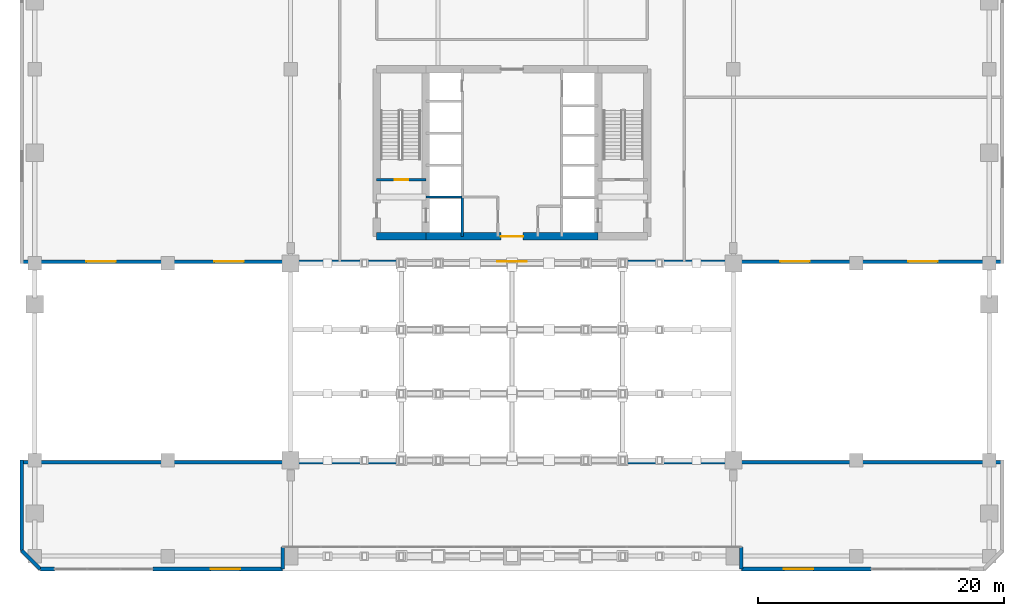
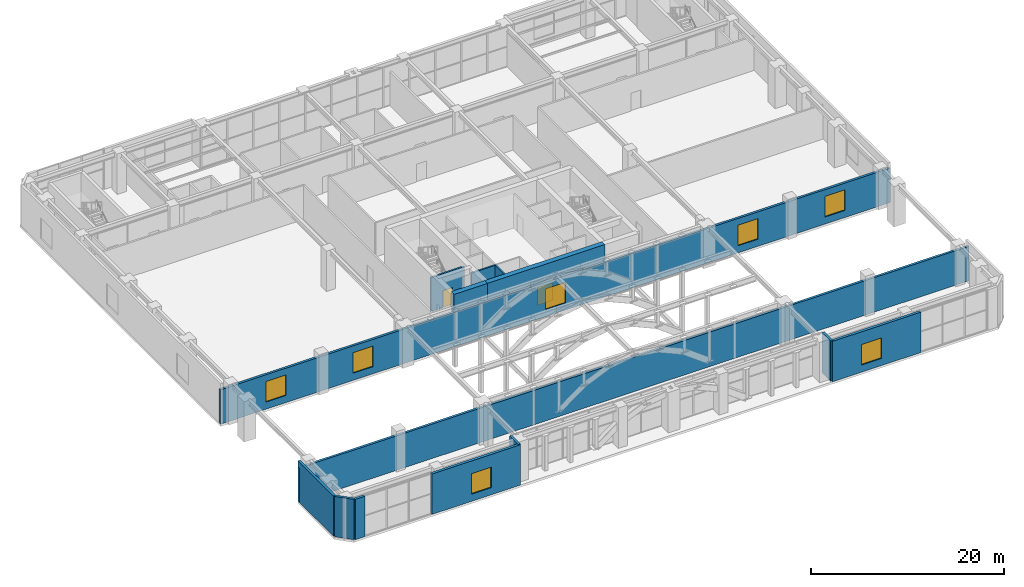
# One storey, part 25 of 32: 14 walls, 7 windows, 2 doors, 9 openings.
"""IFC4 building model written with IfcOpenShell, lengths in metres."""

from ifc_helpers import new_model, si_unit, direction, frame, frame_2d, origin, place, context, subcontext, project, spatial, rectangle, extrude, material, layer, layer_set, type_object, element, fill, save


model = new_model("IFC4")

# Units and contexts
model_context = context("Model", 3, precision=1e-05, world=origin(), true_north=direction((0.0, 1.0)))
body_context = subcontext(model_context, "Body", "Model", "MODEL_VIEW")
ifc_project = project(units=[si_unit("LENGTHUNIT", "METRE"), si_unit("AREAUNIT", "SQUARE_METRE"), si_unit("VOLUMEUNIT", "CUBIC_METRE"), si_unit("PLANEANGLEUNIT", "RADIAN"), si_unit("MASSUNIT", "GRAM", prefix="KILO")], contexts=[model_context])

# Site, building, storey
site_placement = place(None, origin())
site = spatial("IfcSite", under=ifc_project, at=site_placement, CompositionType="ELEMENT")
building_placement = place(site_placement, origin())
building = spatial("IfcBuilding", under=site, at=building_placement, Name="Sarneth Arch Tower", CompositionType="ELEMENT")
storey_placement = place(building_placement, frame((0.0, 0.0, 11.39990234375)))
storey = spatial("IfcBuildingStorey", under=building, at=storey_placement, Name="L02", CompositionType="ELEMENT", Elevation=11.39990234375)

# Wall
ifc_material_1 = material(Name="Concrete C60/75", Category="concrete")
ifc_layer_1 = layer(ifc_material_1, 0.60009765625)
ifc_layer_set_1 = layer_set([ifc_layer_1], Name="Concrete C60/75")
wall_type_1 = type_object("IfcWallType", Name="WALL-CORE-600", PredefinedType="SHEAR", material=ifc_layer_set_1)
wall_1_placement = place(storey_placement, frame((37.0, 35.199951171875, 0.0), z_axis=(0.0, 0.0, 1.0), x_axis=(1.0, 0.0, 0.0)))
element("IfcWall", 1, at=wall_1_placement, inside=storey, type_object=wall_type_1, Name="L02 Core shear wall S-W", PredefinedType="SHEAR", context=body_context, shape_type="SweptSolid", body=[
    extrude(rectangle(XDim=4.0, YDim=0.60009765625, at=frame_2d((2.0, 0.0))), origin(), (0.0, 0.0, 1.0), 5.10009765625),
])

# Wall, opening, door
wall_2_placement = place(storey_placement, frame((41.0, 35.199951171875, 0.0), z_axis=(0.0, 0.0, 1.0), x_axis=(1.0, 0.0, 0.0)))
wall_2 = element("IfcWall", 2, at=wall_2_placement, inside=storey, type_object=wall_type_1, Name="L02 Core shear wall S-M", PredefinedType="SHEAR", context=body_context, shape_type="SweptSolid", body=[
    extrude(rectangle(XDim=14.0, YDim=0.60009765625, at=frame_2d((7.0, 0.0))), origin(), (0.0, 0.0, 1.0), 5.10009765625),
])
opening_1_placement = place(wall_2_placement, frame((6.10009765625, 0.0, 0.0)))
opening_1 = element("IfcOpeningElement", 3, at=opening_1_placement, cuts=wall_2, Name="Opening FD-01", PredefinedType="OPENING", context=body_context, shape_type="SweptSolid", body=[
    extrude(rectangle(XDim=1.800048828125, YDim=2.25, at=frame_2d((0.89990234375, 1.125))), frame((0.0, 0.31005859375, 0.0), z_axis=(0.0, -1.0, 0.0), x_axis=(1.0, 0.0, 0.0)), (0.0, 0.0, 1.0), 0.6201171875),
])
ifc_material_2 = material(Name="Galvanised Steel S275 fire door set", Category="steel")
door_type_1 = type_object("IfcDoorType", Name="DR-FD90-1800", OperationType="DOUBLE_DOOR_SINGLE_SWING", PredefinedType="DOOR", material=ifc_material_2)
door_1_placement = place(opening_1_placement, origin())
door_1 = element("IfcDoor", 4, at=door_1_placement, inside=storey, type_object=door_type_1, Name="L02 Central lift lobby south door", OperationType="DOUBLE_DOOR_SINGLE_SWING", OverallHeight=2.25, OverallWidth=1.800048828125, PredefinedType="DOOR", context=body_context, shape_type="SweptSolid", body=[
    extrude(rectangle(XDim=1.800048828125, YDim=2.25, at=frame_2d((0.89990234375, 1.125))), frame((0.0, 0.02490234375, 0.0), z_axis=(0.0, -1.0, 0.0), x_axis=(1.0, 0.0, 0.0)), (0.0, 0.0, 1.0), 0.050048828125),
])
fill(opening_1, door_1)

# Walls
ifc_material_3 = material(Name="Extruded terracotta rainscreen on Concrete C40/50 backing", Category="masonry")
ifc_layer_2 = layer(ifc_material_3, 0.280029296875)
ifc_layer_set_2 = layer_set([ifc_layer_2], Name="Extruded terracotta rainscreen on Concrete C40/50 backing")
wall_type_2 = type_object("IfcWallType", Name="WALL-EXT-TERRA-280", PredefinedType="SOLIDWALL", material=ifc_layer_set_2)
for number, where, z_axis, x_axis, name in (
    (5, (29.35009765625, 8.14990234375, 0.0), (0.0, 0.0, 1.0), (0.0, 1.0, 0.0), "L02 South-west arch portal return"),
    (6, (66.64990234375, 9.949951171875, 0.0), (0.0, 0.0, 1.0), (0.0, -1.0, 0.0), "L02 South-east arch portal return"),
):
    element("IfcWall", number, at=place(storey_placement, frame(where, z_axis=z_axis, x_axis=x_axis)), inside=storey, type_object=wall_type_2, Name=name, PredefinedType="SOLIDWALL", context=body_context, shape_type="SweptSolid", body=[
        extrude(rectangle(XDim=1.800048828125, YDim=0.280029296875, at=frame_2d((0.89990234375, 0.0))), origin(), (0.0, 0.0, 1.0), 5.10009765625),
    ])
wall_3_placement = place(storey_placement, frame((8.14990234375, 17.0, 0.0), z_axis=(0.0, 0.0, 1.0), x_axis=(0.0, -1.0, 0.0)))
element("IfcWall", 7, at=wall_3_placement, inside=storey, type_object=wall_type_2, Name="L02 West south wing wall", PredefinedType="SOLIDWALL", context=body_context, shape_type="SweptSolid", body=[
    extrude(rectangle(XDim=7.35009765625, YDim=0.280029296875, at=frame_2d((3.675048828125, 0.0))), origin(), (0.0, 0.0, 1.0), 5.10009765625),
])

# Wall, openings, windows
wall_4_placement = place(storey_placement, frame((88.0, 33.14990234375, 0.0), z_axis=(0.0, 0.0, 1.0), x_axis=(-1.0, 0.0, 0.0)))
wall_4 = element("IfcWall", 8, at=wall_4_placement, inside=storey, type_object=wall_type_2, Name="L02 Arch passage north portal wall", PredefinedType="SOLIDWALL", context=body_context, shape_type="SweptSolid", body=[
    extrude(rectangle(XDim=80.0, YDim=0.280029296875, at=frame_2d((40.0, 0.0))), origin(), (0.0, 0.0, 1.0), 4.35009765625),
])
opening_2_placement = place(wall_4_placement, frame((5.39990234375, 0.0, 0.89990234375)))
opening_2 = element("IfcOpeningElement", 9, at=opening_2_placement, cuts=wall_4, Name="Opening W-02", PredefinedType="OPENING", context=body_context, shape_type="SweptSolid", body=[
    extrude(rectangle(XDim=2.39990234375, YDim=2.60009765625, at=frame_2d((1.199951171875, 1.300048828125))), frame((0.0, 0.14990234375, 0.0), z_axis=(0.0, -1.0, 0.0), x_axis=(1.0, 0.0, 0.0)), (0.0, 0.0, 1.0), 0.300048828125),
])
opening_3_placement = place(wall_4_placement, frame((15.800048828125, 0.0, 0.89990234375)))
opening_3 = element("IfcOpeningElement", 10, at=opening_3_placement, cuts=wall_4, Name="Opening W-02", PredefinedType="OPENING", context=body_context, shape_type="SweptSolid", body=[
    extrude(rectangle(XDim=2.39990234375, YDim=2.60009765625, at=frame_2d((1.199951171875, 1.300048828125))), frame((0.0, 0.14990234375, 0.0), z_axis=(0.0, -1.0, 0.0), x_axis=(1.0, 0.0, 0.0)), (0.0, 0.0, 1.0), 0.300048828125),
])
opening_4_placement = place(wall_4_placement, frame((38.800048828125, 0.0, 0.89990234375)))
opening_4 = element("IfcOpeningElement", 11, at=opening_4_placement, cuts=wall_4, Name="Opening W-02", PredefinedType="OPENING", context=body_context, shape_type="SweptSolid", body=[
    extrude(rectangle(XDim=2.39990234375, YDim=2.60009765625, at=frame_2d((1.199951171875, 1.300048828125))), frame((0.0, 0.14990234375, 0.0), z_axis=(0.0, -1.0, 0.0), x_axis=(1.0, 0.0, 0.0)), (0.0, 0.0, 1.0), 0.300048828125),
])
opening_5_placement = place(wall_4_placement, frame((61.800048828125, 0.0, 0.89990234375)))
opening_5 = element("IfcOpeningElement", 12, at=opening_5_placement, cuts=wall_4, Name="Opening W-02", PredefinedType="OPENING", context=body_context, shape_type="SweptSolid", body=[
    extrude(rectangle(XDim=2.39990234375, YDim=2.60009765625, at=frame_2d((1.199951171875, 1.300048828125))), frame((0.0, 0.14990234375, 0.0), z_axis=(0.0, -1.0, 0.0), x_axis=(1.0, 0.0, 0.0)), (0.0, 0.0, 1.0), 0.300048828125),
])
opening_6_placement = place(wall_4_placement, frame((72.199951171875, 0.0, 0.89990234375)))
opening_6 = element("IfcOpeningElement", 13, at=opening_6_placement, cuts=wall_4, Name="Opening W-02", PredefinedType="OPENING", context=body_context, shape_type="SweptSolid", body=[
    extrude(rectangle(XDim=2.39990234375, YDim=2.60009765625, at=frame_2d((1.199951171875, 1.300048828125))), frame((0.0, 0.14990234375, 0.0), z_axis=(0.0, -1.0, 0.0), x_axis=(1.0, 0.0, 0.0)), (0.0, 0.0, 1.0), 0.300048828125),
])
ifc_material_4 = material(Name="Thermally broken Aluminium 6063-T6 and low-e laminated IGU", Category="aluminium")
window_type = type_object("IfcWindowType", Name="WIN-POD-2400x2600", PartitioningType="DOUBLE_PANEL_VERTICAL", PredefinedType="WINDOW", material=ifc_material_4)
window_1_placement = place(opening_2_placement, origin())
window_1 = element("IfcWindow", 14, at=window_1_placement, inside=storey, type_object=window_type, Name="L02 Arch overlook window 1", OverallHeight=2.60009765625, OverallWidth=2.39990234375, PartitioningType="SINGLE_PANEL", PredefinedType="WINDOW", context=body_context, shape_type="SweptSolid", body=[
    extrude(rectangle(XDim=2.39990234375, YDim=2.60009765625, at=frame_2d((1.199951171875, 1.300048828125))), frame((0.0, 0.030029296875, 0.0), z_axis=(0.0, -1.0, 0.0), x_axis=(1.0, 0.0, 0.0)), (0.0, 0.0, 1.0), 0.06005859375),
])
fill(opening_2, window_1)
window_2_placement = place(opening_3_placement, origin())
window_2 = element("IfcWindow", 15, at=window_2_placement, inside=storey, type_object=window_type, Name="L02 Arch overlook window 2", OverallHeight=2.60009765625, OverallWidth=2.39990234375, PartitioningType="SINGLE_PANEL", PredefinedType="WINDOW", context=body_context, shape_type="SweptSolid", body=[
    extrude(rectangle(XDim=2.39990234375, YDim=2.60009765625, at=frame_2d((1.199951171875, 1.300048828125))), frame((0.0, 0.030029296875, 0.0), z_axis=(0.0, -1.0, 0.0), x_axis=(1.0, 0.0, 0.0)), (0.0, 0.0, 1.0), 0.06005859375),
])
fill(opening_3, window_2)
window_3_placement = place(opening_4_placement, origin())
window_3 = element("IfcWindow", 16, at=window_3_placement, inside=storey, type_object=window_type, Name="L02 Arch overlook window 3", OverallHeight=2.60009765625, OverallWidth=2.39990234375, PartitioningType="SINGLE_PANEL", PredefinedType="WINDOW", context=body_context, shape_type="SweptSolid", body=[
    extrude(rectangle(XDim=2.39990234375, YDim=2.60009765625, at=frame_2d((1.199951171875, 1.300048828125))), frame((0.0, 0.030029296875, 0.0), z_axis=(0.0, -1.0, 0.0), x_axis=(1.0, 0.0, 0.0)), (0.0, 0.0, 1.0), 0.06005859375),
])
fill(opening_4, window_3)
window_4_placement = place(opening_5_placement, origin())
window_4 = element("IfcWindow", 17, at=window_4_placement, inside=storey, type_object=window_type, Name="L02 Arch overlook window 4", OverallHeight=2.60009765625, OverallWidth=2.39990234375, PartitioningType="SINGLE_PANEL", PredefinedType="WINDOW", context=body_context, shape_type="SweptSolid", body=[
    extrude(rectangle(XDim=2.39990234375, YDim=2.60009765625, at=frame_2d((1.199951171875, 1.300048828125))), frame((0.0, 0.030029296875, 0.0), z_axis=(0.0, -1.0, 0.0), x_axis=(1.0, 0.0, 0.0)), (0.0, 0.0, 1.0), 0.06005859375),
])
fill(opening_5, window_4)
window_5_placement = place(opening_6_placement, origin())
window_5 = element("IfcWindow", 18, at=window_5_placement, inside=storey, type_object=window_type, Name="L02 Arch overlook window 5", OverallHeight=2.60009765625, OverallWidth=2.39990234375, PartitioningType="SINGLE_PANEL", PredefinedType="WINDOW", context=body_context, shape_type="SweptSolid", body=[
    extrude(rectangle(XDim=2.39990234375, YDim=2.60009765625, at=frame_2d((1.199951171875, 1.300048828125))), frame((0.0, 0.030029296875, 0.0), z_axis=(0.0, -1.0, 0.0), x_axis=(1.0, 0.0, 0.0)), (0.0, 0.0, 1.0), 0.06005859375),
])
fill(opening_6, window_5)

# Walls
wall_5_placement = place(storey_placement, frame((8.0, 16.85009765625, 0.0), z_axis=(0.0, 0.0, 1.0), x_axis=(1.0, 0.0, 0.0)))
element("IfcWall", 19, at=wall_5_placement, inside=storey, type_object=wall_type_2, Name="L02 Arch passage south portal wall", PredefinedType="SOLIDWALL", context=body_context, shape_type="SweptSolid", body=[
    extrude(rectangle(XDim=80.0, YDim=0.280029296875, at=frame_2d((40.0, 0.0))), origin(), (0.0, 0.0, 1.0), 4.35009765625),
])
wall_6_placement = place(storey_placement, frame((8.14990234375, 9.64990234375, 0.0), z_axis=(0.0, 0.0, 1.0), x_axis=(0.707106781187, -0.707106781187, 0.0)))
element("IfcWall", 20, at=wall_6_placement, inside=storey, type_object=wall_type_2, Name="L02 Podium chamfer terracotta wall SW", PredefinedType="SOLIDWALL", context=body_context, shape_type="SweptSolid", body=[
    extrude(rectangle(XDim=2.121337890625, YDim=0.280029296875, at=frame_2d((1.060546875, 0.0))), origin(), (0.0, 0.0, 1.0), 5.10009765625),
])
ifc_material_5 = material(Name="Extruded terracotta rainscreen on Concrete C40/50 backing", Category="masonry")
ifc_layer_3 = layer(ifc_material_5, 0.320068359375)
ifc_layer_set_3 = layer_set([ifc_layer_3], Name="Extruded terracotta rainscreen on Concrete C40/50 backing")
wall_type_3 = type_object("IfcWallType", Name="WALL-EXT-TERRA-320", PredefinedType="SOLIDWALL", material=ifc_layer_set_3)
wall_7_placement = place(storey_placement, frame((9.64990234375, 8.14990234375, 0.0), z_axis=(0.0, 0.0, 1.0), x_axis=(1.0, 0.0, 0.0)))
element("IfcWall", 21, at=wall_7_placement, inside=storey, type_object=wall_type_3, Name="L02 South-west pier", PredefinedType="SOLIDWALL", context=body_context, shape_type="SweptSolid", body=[
    extrude(rectangle(XDim=1.150146484375, YDim=0.320068359375, at=frame_2d((0.5751953125, 0.0))), origin(), (0.0, 0.0, 1.0), 5.10009765625),
])

# Wall, opening, window
wall_8_placement = place(storey_placement, frame((29.35009765625, 8.14990234375, 0.0), z_axis=(0.0, 0.0, 1.0), x_axis=(-1.0, 0.0, 0.0)))
wall_8 = element("IfcWall", 22, at=wall_8_placement, inside=storey, type_object=wall_type_3, Name="L02 South-west podium wing wall", PredefinedType="SOLIDWALL", context=body_context, shape_type="SweptSolid", body=[
    extrude(rectangle(XDim=10.550048828125, YDim=0.320068359375, at=frame_2d((5.27490234375, 0.0))), origin(), (0.0, 0.0, 1.0), 5.10009765625),
])
opening_7_placement = place(wall_8_placement, frame((3.449951171875, 0.0, 0.89990234375)))
opening_7 = element("IfcOpeningElement", 23, at=opening_7_placement, cuts=wall_8, Name="Opening W-02", PredefinedType="OPENING", context=body_context, shape_type="SweptSolid", body=[
    extrude(rectangle(XDim=2.39990234375, YDim=2.60009765625, at=frame_2d((1.199951171875, 1.300048828125))), frame((0.0, 0.169921875, 0.0), z_axis=(0.0, -1.0, 0.0), x_axis=(1.0, 0.0, 0.0)), (0.0, 0.0, 1.0), 0.340087890625),
])
window_6_placement = place(opening_7_placement, origin())
window_6 = element("IfcWindow", 24, at=window_6_placement, inside=storey, type_object=window_type, Name="L02 South wing window 1.1", OverallHeight=2.60009765625, OverallWidth=2.39990234375, PartitioningType="SINGLE_PANEL", PredefinedType="WINDOW", context=body_context, shape_type="SweptSolid", body=[
    extrude(rectangle(XDim=2.39990234375, YDim=2.60009765625, at=frame_2d((1.199951171875, 1.300048828125))), frame((0.0, 0.030029296875, 0.0), z_axis=(0.0, -1.0, 0.0), x_axis=(1.0, 0.0, 0.0)), (0.0, 0.0, 1.0), 0.06005859375),
])
fill(opening_7, window_6)

wall_9_placement = place(storey_placement, frame((77.199951171875, 8.14990234375, 0.0), z_axis=(0.0, 0.0, 1.0), x_axis=(-1.0, 0.0, 0.0)))
wall_9 = element("IfcWall", 25, at=wall_9_placement, inside=storey, type_object=wall_type_3, Name="L02 South-east podium wing wall", PredefinedType="SOLIDWALL", context=body_context, shape_type="SweptSolid", body=[
    extrude(rectangle(XDim=10.550048828125, YDim=0.320068359375, at=frame_2d((5.27490234375, 0.0))), origin(), (0.0, 0.0, 1.0), 5.10009765625),
])
opening_8_placement = place(wall_9_placement, frame((4.699951171875, 0.0, 0.89990234375)))
opening_8 = element("IfcOpeningElement", 26, at=opening_8_placement, cuts=wall_9, Name="Opening W-02", PredefinedType="OPENING", context=body_context, shape_type="SweptSolid", body=[
    extrude(rectangle(XDim=2.39990234375, YDim=2.60009765625, at=frame_2d((1.199951171875, 1.300048828125))), frame((0.0, 0.169921875, 0.0), z_axis=(0.0, -1.0, 0.0), x_axis=(1.0, 0.0, 0.0)), (0.0, 0.0, 1.0), 0.340087890625),
])
window_7_placement = place(opening_8_placement, origin())
window_7 = element("IfcWindow", 27, at=window_7_placement, inside=storey, type_object=window_type, Name="L02 South wing window 2.1", OverallHeight=2.60009765625, OverallWidth=2.39990234375, PartitioningType="SINGLE_PANEL", PredefinedType="WINDOW", context=body_context, shape_type="SweptSolid", body=[
    extrude(rectangle(XDim=2.39990234375, YDim=2.60009765625, at=frame_2d((1.199951171875, 1.300048828125))), frame((0.0, 0.030029296875, 0.0), z_axis=(0.0, -1.0, 0.0), x_axis=(1.0, 0.0, 0.0)), (0.0, 0.0, 1.0), 0.06005859375),
])
fill(opening_8, window_7)

# Wall, opening, door
ifc_material_6 = material(Name="Aerated concrete blockwork C25/30", Category="masonry")
ifc_layer_4 = layer(ifc_material_6, 0.199951171875)
ifc_layer_set_4 = layer_set([ifc_layer_4], Name="Aerated concrete blockwork C25/30")
wall_type_4 = type_object("IfcWallType", Name="WALL-SHAFT-200", PredefinedType="SOLIDWALL", material=ifc_layer_set_4)
wall_10_placement = place(storey_placement, frame((37.0, 39.800048828125, 0.0), z_axis=(0.0, 0.0, 1.0), x_axis=(1.0, 0.0, 0.0)))
wall_10 = element("IfcWall", 28, at=wall_10_placement, inside=storey, type_object=wall_type_4, Name="L02 Interior partition W-L02-ST1-S", PredefinedType="SOLIDWALL", context=body_context, shape_type="SweptSolid", body=[
    extrude(rectangle(XDim=4.0, YDim=0.199951171875, at=frame_2d((2.0, 0.0))), origin(), (0.0, 0.0, 1.0), 4.300048828125),
])
opening_9_placement = place(wall_10_placement, frame((1.449951171875, 0.0, 0.0)))
opening_9 = element("IfcOpeningElement", 29, at=opening_9_placement, cuts=wall_10, Name="Opening FD-03", PredefinedType="OPENING", context=body_context, shape_type="SweptSolid", body=[
    extrude(rectangle(XDim=1.10009765625, YDim=2.14990234375, at=frame_2d((0.550048828125, 1.074951171875))), frame((0.0, 0.10986328125, 0.0), z_axis=(0.0, -1.0, 0.0), x_axis=(1.0, 0.0, 0.0)), (0.0, 0.0, 1.0), 0.219970703125),
])
ifc_material_7 = material(Name="Galvanised Steel S275 fire door set", Category="steel")
door_type_2 = type_object("IfcDoorType", Name="DR-FD90-1100", OperationType="SINGLE_SWING_LEFT", PredefinedType="DOOR", material=ifc_material_7)
door_2_placement = place(opening_9_placement, origin())
door_2 = element("IfcDoor", 30, at=door_2_placement, inside=storey, type_object=door_type_2, Name="L02 Interior door DR-L02-ST1", OperationType="SINGLE_SWING_LEFT", OverallHeight=2.14990234375, OverallWidth=1.10009765625, PredefinedType="DOOR", context=body_context, shape_type="SweptSolid", body=[
    extrude(rectangle(XDim=1.10009765625, YDim=2.14990234375, at=frame_2d((0.550048828125, 1.074951171875))), frame((0.0, 0.02490234375, 0.0), z_axis=(0.0, -1.0, 0.0), x_axis=(1.0, 0.0, 0.0)), (0.0, 0.0, 1.0), 0.050048828125),
])
fill(opening_9, door_2)

# Walls
wall_11_placement = place(storey_placement, frame((43.949951171875, 35.199951171875, 0.0), z_axis=(0.0, 0.0, 1.0), x_axis=(0.0, 1.0, 0.0)))
element("IfcWall", 31, at=wall_11_placement, inside=storey, type_object=wall_type_4, Name="L02 Interior partition W-L02-FL1-E", PredefinedType="SOLIDWALL", context=body_context, shape_type="SweptSolid", body=[
    extrude(rectangle(XDim=3.199951171875, YDim=0.199951171875, at=frame_2d((1.60009765625, 0.0))), origin(), (0.0, 0.0, 1.0), 4.300048828125),
])
wall_12_placement = place(storey_placement, frame((41.0, 38.39990234375, 0.0), z_axis=(0.0, 0.0, 1.0), x_axis=(1.0, 0.0, 0.0)))
element("IfcWall", 32, at=wall_12_placement, inside=storey, type_object=wall_type_4, Name="L02 Interior partition W-L02-FL1-N", PredefinedType="SOLIDWALL", context=body_context, shape_type="SweptSolid", body=[
    extrude(rectangle(XDim=2.949951171875, YDim=0.199951171875, at=frame_2d((1.47509765625, 0.0))), origin(), (0.0, 0.0, 1.0), 4.300048828125),
])

save(model, "model.ifc")
